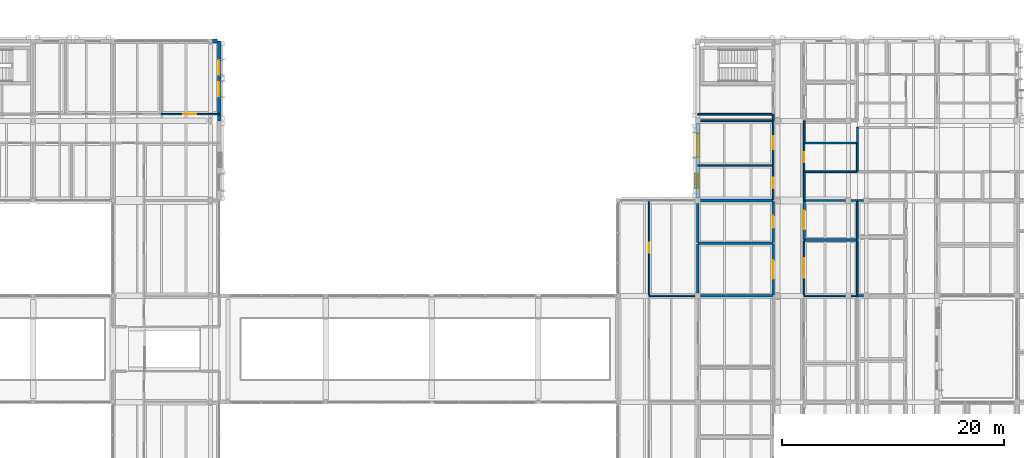
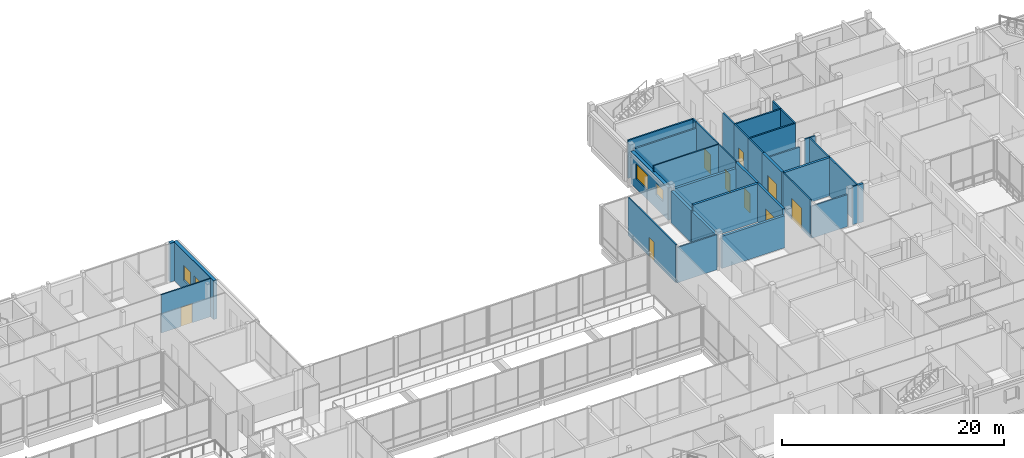
# One storey, part 116 of 146: 37 walls, 9 doors, 4 windows, 13 openings.
"""IFC4 building model written with IfcOpenShell, lengths in metres."""

from ifc_helpers import new_model, si_unit, direction, frame, frame_2d, origin, place, context, subcontext, project, spatial, rectangle, extrude, material, layer, layer_set, type_object, element, fill, save


model = new_model("IFC4")

# Units and contexts
model_context = context("Model", 3, precision=1e-05, world=origin(), true_north=direction((0.0, 1.0)))
body_context = subcontext(model_context, "Body", "Model", "MODEL_VIEW")
ifc_project = project(units=[si_unit("LENGTHUNIT", "METRE"), si_unit("AREAUNIT", "SQUARE_METRE"), si_unit("VOLUMEUNIT", "CUBIC_METRE"), si_unit("PLANEANGLEUNIT", "RADIAN"), si_unit("MASSUNIT", "GRAM", prefix="KILO")], contexts=[model_context])

# Site, building, storey
site_placement = place(None, origin())
site = spatial("IfcSite", under=ifc_project, at=site_placement, CompositionType="ELEMENT")
building_placement = place(site_placement, origin())
building = spatial("IfcBuilding", under=site, at=building_placement, Name="Hawrajan Terrace Health Centre", CompositionType="ELEMENT")
storey_placement = place(building_placement, frame((0.0, 0.0, 4.5)))
storey = spatial("IfcBuildingStorey", under=building, at=storey_placement, Name="L01", CompositionType="ELEMENT", Elevation=4.5)

# Wall, opening, door
ifc_material_1 = material(Name="Gypsum board on acoustic stud framing")
ifc_layer_1 = layer(ifc_material_1, 0.139892578125)
ifc_layer_set_1 = layer_set([ifc_layer_1], Name="Gypsum board on acoustic stud framing")
wall_type_1 = type_object("IfcWallType", Name="ClinicalAcousticWall_140", PredefinedType="PARTITIONING", material=ifc_layer_set_1)
wall_1_placement = place(storey_placement, frame((66.508056640625, 53.199951171875, 0.0), z_axis=(0.0, 0.0, 1.0), x_axis=(1.0, 0.0, 0.0)))
wall_1 = element("IfcWall", 1, at=wall_1_placement, inside=storey, type_object=wall_type_1, Name="Interior wall IW-L01-0650", PredefinedType="PARTITIONING", context=body_context, shape_type="SweptSolid", body=[
    extrude(rectangle(XDim=5.286865234375, YDim=0.139892578125, at=frame_2d((2.6435546875, 0.0))), origin(), (0.0, 0.0, 1.0), 4.179931640625),
])
opening_1_placement = place(wall_1_placement, frame((2.0634765625, 0.0, 0.0)))
opening_1 = element("IfcOpeningElement", 2, at=opening_1_placement, cuts=wall_1, Name="Opening D-L01-338", PredefinedType="OPENING", context=body_context, shape_type="SweptSolid", body=[
    extrude(rectangle(XDim=1.159912109375, YDim=2.10009765625, at=frame_2d((0.580078125, 1.050048828125))), frame((0.0, 0.079833984375, 0.0), z_axis=(0.0, -1.0, 0.0), x_axis=(1.0, 0.0, 0.0)), (0.0, 0.0, 1.0), 0.159912109375),
])
ifc_material_2 = material(Name="Hardwood acoustic clinical door leaf and frame", Category="wood")
door_type_1 = type_object("IfcDoorType", Name="ConsultDoor_1160x2100", OperationType="NOTDEFINED", PredefinedType="DOOR", material=ifc_material_2)
door_1_placement = place(opening_1_placement, origin())
door_1 = element("IfcDoor", 3, at=door_1_placement, inside=storey, type_object=door_type_1, Name="Interior door D-L01-338", OperationType="SINGLE_SWING_RIGHT", OverallHeight=2.10009765625, OverallWidth=1.159912109375, PredefinedType="DOOR", context=body_context, shape_type="SweptSolid", body=[
    extrude(rectangle(XDim=1.159912109375, YDim=2.10009765625, at=frame_2d((0.580078125, 1.050048828125))), frame((0.0, 0.02490234375, 0.0), z_axis=(0.0, -1.0, 0.0), x_axis=(1.0, 0.0, 0.0)), (0.0, 0.0, 1.0), 0.050048828125),
])
fill(opening_1, door_1)

wall_2_placement = place(storey_placement, frame((110.60009765625, 36.8701171875, 0.0), z_axis=(0.0, 0.0, 1.0), x_axis=(0.0, 1.0, 0.0)))
wall_2 = element("IfcWall", 4, at=wall_2_placement, inside=storey, type_object=wall_type_1, Name="Interior wall IW-L01-0691", PredefinedType="PARTITIONING", context=body_context, shape_type="SweptSolid", body=[
    extrude(rectangle(XDim=8.52978515625, YDim=0.139892578125, at=frame_2d((4.264892578125, 0.0))), origin(), (0.0, 0.0, 1.0), 4.179931640625),
])
opening_2_placement = place(wall_2_placement, frame((3.81494140625, 0.0, 0.0)))
opening_2 = element("IfcOpeningElement", 5, at=opening_2_placement, cuts=wall_2, Name="Opening D-L01-310", PredefinedType="OPENING", context=body_context, shape_type="SweptSolid", body=[
    extrude(rectangle(XDim=0.89990234375, YDim=2.10009765625, at=frame_2d((0.449951171875, 1.050048828125))), frame((0.0, 0.079833984375, 0.0), z_axis=(0.0, -1.0, 0.0), x_axis=(1.0, 0.0, 0.0)), (0.0, 0.0, 1.0), 0.159912109375),
])
door_type_2 = type_object("IfcDoorType", Name="PatientWCDoor_900x2100", OperationType="NOTDEFINED", PredefinedType="DOOR", material=ifc_material_2)
door_2_placement = place(opening_2_placement, origin())
door_2 = element("IfcDoor", 6, at=door_2_placement, inside=storey, type_object=door_type_2, Name="Interior door D-L01-310", OperationType="SINGLE_SWING_RIGHT", OverallHeight=2.10009765625, OverallWidth=0.89990234375, PredefinedType="DOOR", context=body_context, shape_type="SweptSolid", body=[
    extrude(rectangle(XDim=0.89990234375, YDim=2.10009765625, at=frame_2d((0.449951171875, 1.050048828125))), frame((0.0, 0.02490234375, 0.0), z_axis=(0.0, -1.0, 0.0), x_axis=(1.0, 0.0, 0.0)), (0.0, 0.0, 1.0), 0.050048828125),
])
fill(opening_2, door_2)

# Walls
wall_3_placement = place(storey_placement, frame((110.60009765625, 36.800048828125, 0.0), z_axis=(0.0, 0.0, 1.0), x_axis=(1.0, 0.0, 0.0)))
element("IfcWall", 7, at=wall_3_placement, inside=storey, type_object=wall_type_1, Name="Interior wall IW-L01-0692", PredefinedType="PARTITIONING", context=body_context, shape_type="SweptSolid", body=[
    extrude(rectangle(XDim=4.14990234375, YDim=0.139892578125, at=frame_2d((2.074951171875, 0.0))), origin(), (0.0, 0.0, 1.0), 3.8701171875),
])
wall_4_placement = place(storey_placement, frame((115.0, 48.574951171875, 0.0), z_axis=(0.0, 0.0, 1.0), x_axis=(1.0, 0.0, 0.0)))
element("IfcWall", 8, at=wall_4_placement, inside=storey, type_object=wall_type_1, Name="Interior wall IW-L01-0712", PredefinedType="PARTITIONING", context=body_context, shape_type="SweptSolid", body=[
    extrude(rectangle(XDim=6.800048828125, YDim=0.139892578125, at=frame_2d((3.39990234375, 0.0))), origin(), (0.0, 0.0, 1.0), 4.179931640625),
])

# Wall, opening, door
wall_5_placement = place(storey_placement, frame((121.800048828125, 45.469970703125, 0.0), z_axis=(0.0, 0.0, 1.0), x_axis=(0.0, 1.0, 0.0)))
wall_5 = element("IfcWall", 9, at=wall_5_placement, inside=storey, type_object=wall_type_1, Name="Interior wall IW-L01-0723", PredefinedType="PARTITIONING", context=body_context, shape_type="SweptSolid", body=[
    extrude(rectangle(XDim=3.034912109375, YDim=0.139892578125, at=frame_2d((1.517578125, 0.0))), origin(), (0.0, 0.0, 1.0), 4.179931640625),
])
opening_3_placement = place(wall_5_placement, frame((1.0576171875, 0.0, 0.0)))
opening_3 = element("IfcOpeningElement", 10, at=opening_3_placement, cuts=wall_5, Name="Opening D-L01-382", PredefinedType="OPENING", context=body_context, shape_type="SweptSolid", body=[
    extrude(rectangle(XDim=0.919921875, YDim=2.10009765625, at=frame_2d((0.4599609375, 1.050048828125))), frame((0.0, 0.079833984375, 0.0), z_axis=(0.0, -1.0, 0.0), x_axis=(1.0, 0.0, 0.0)), (0.0, 0.0, 1.0), 0.159912109375),
])
door_type_3 = type_object("IfcDoorType", Name="StaffOfficeDoor_920x2100", OperationType="NOTDEFINED", PredefinedType="DOOR", material=ifc_material_2)
door_3_placement = place(opening_3_placement, origin())
door_3 = element("IfcDoor", 11, at=door_3_placement, inside=storey, type_object=door_type_3, Name="Interior door D-L01-382", OperationType="SINGLE_SWING_RIGHT", OverallHeight=2.10009765625, OverallWidth=0.919921875, PredefinedType="DOOR", context=body_context, shape_type="SweptSolid", body=[
    extrude(rectangle(XDim=0.919921875, YDim=2.10009765625, at=frame_2d((0.4599609375, 1.050048828125))), frame((0.0, 0.02490234375, 0.0), z_axis=(0.0, -1.0, 0.0), x_axis=(1.0, 0.0, 0.0)), (0.0, 0.0, 1.0), 0.050048828125),
])
fill(opening_3, door_3)

wall_6_placement = place(storey_placement, frame((121.800048828125, 48.64501953125, 0.0), z_axis=(0.0, 0.0, 1.0), x_axis=(0.0, 1.0, 0.0)))
wall_6 = element("IfcWall", 12, at=wall_6_placement, inside=storey, type_object=wall_type_1, Name="Interior wall IW-L01-0724", PredefinedType="PARTITIONING", context=body_context, shape_type="SweptSolid", body=[
    extrude(rectangle(XDim=3.955078125, YDim=0.139892578125, at=frame_2d((1.9775390625, 0.0))), origin(), (0.0, 0.0, 1.0), 4.179931640625),
])
opening_4_placement = place(wall_6_placement, frame((1.3974609375, 0.0, 0.0)))
opening_4 = element("IfcOpeningElement", 13, at=opening_4_placement, cuts=wall_6, Name="Opening D-L01-383", PredefinedType="OPENING", context=body_context, shape_type="SweptSolid", body=[
    extrude(rectangle(XDim=1.159912109375, YDim=2.10009765625, at=frame_2d((0.580078125, 1.050048828125))), frame((0.0, 0.079833984375, 0.0), z_axis=(0.0, -1.0, 0.0), x_axis=(1.0, 0.0, 0.0)), (0.0, 0.0, 1.0), 0.159912109375),
])
door_4_placement = place(opening_4_placement, origin())
door_4 = element("IfcDoor", 14, at=door_4_placement, inside=storey, type_object=door_type_1, Name="Interior door D-L01-383", OperationType="SINGLE_SWING_LEFT", OverallHeight=2.10009765625, OverallWidth=1.159912109375, PredefinedType="DOOR", context=body_context, shape_type="SweptSolid", body=[
    extrude(rectangle(XDim=1.159912109375, YDim=2.10009765625, at=frame_2d((0.580078125, 1.050048828125))), frame((0.0, 0.02490234375, 0.0), z_axis=(0.0, -1.0, 0.0), x_axis=(1.0, 0.0, 0.0)), (0.0, 0.0, 1.0), 0.050048828125),
])
fill(opening_4, door_4)

wall_7_placement = place(storey_placement, frame((124.60009765625, 36.8701171875, 0.0), z_axis=(0.0, 0.0, 1.0), x_axis=(0.0, 1.0, 0.0)))
wall_7 = element("IfcWall", 15, at=wall_7_placement, inside=storey, type_object=wall_type_1, Name="Interior wall IW-L01-0737", PredefinedType="PARTITIONING", context=body_context, shape_type="SweptSolid", body=[
    extrude(rectangle(XDim=4.890869140625, YDim=0.139892578125, at=frame_2d((2.4453125, 0.0))), origin(), (0.0, 0.0, 1.0), 4.179931640625),
])
opening_5_placement = place(wall_7_placement, frame((1.54541015625, 0.0, 0.0)))
opening_5 = element("IfcOpeningElement", 16, at=opening_5_placement, cuts=wall_7, Name="Opening D-L01-389", PredefinedType="OPENING", context=body_context, shape_type="SweptSolid", body=[
    extrude(rectangle(XDim=1.800048828125, YDim=2.300048828125, at=frame_2d((0.89990234375, 1.14990234375))), frame((0.0, 0.079833984375, 0.0), z_axis=(0.0, -1.0, 0.0), x_axis=(1.0, 0.0, 0.0)), (0.0, 0.0, 1.0), 0.159912109375),
])
door_type_4 = type_object("IfcDoorType", Name="EducationHallDoor_1800x2300", OperationType="DOUBLE_DOOR_SINGLE_SWING", PredefinedType="DOOR", material=ifc_material_2)
door_5_placement = place(opening_5_placement, origin())
door_5 = element("IfcDoor", 17, at=door_5_placement, inside=storey, type_object=door_type_4, Name="Interior door D-L01-389", OperationType="DOUBLE_DOOR_SINGLE_SWING", OverallHeight=2.300048828125, OverallWidth=1.800048828125, PredefinedType="DOOR", context=body_context, shape_type="SweptSolid", body=[
    extrude(rectangle(XDim=1.800048828125, YDim=2.300048828125, at=frame_2d((0.89990234375, 1.14990234375))), frame((0.0, 0.02490234375, 0.0), z_axis=(0.0, -1.0, 0.0), x_axis=(1.0, 0.0, 0.0)), (0.0, 0.0, 1.0), 0.050048828125),
])
fill(opening_5, door_5)

# Walls
wall_8_placement = place(storey_placement, frame((124.60009765625, 36.800048828125, 0.0), z_axis=(0.0, 0.0, 1.0), x_axis=(1.0, 0.0, 0.0)))
element("IfcWall", 18, at=wall_8_placement, inside=storey, type_object=wall_type_1, Name="Interior wall IW-L01-0738", PredefinedType="PARTITIONING", context=body_context, shape_type="SweptSolid", body=[
    extrude(rectangle(XDim=3.75, YDim=0.139892578125, at=frame_2d((1.875, 0.0))), origin(), (0.0, 0.0, 1.0), 3.52001953125),
])
wall_9_placement = place(storey_placement, frame((128.85009765625, 36.800048828125, 0.0), z_axis=(0.0, 0.0, 1.0), x_axis=(1.0, 0.0, 0.0)))
element("IfcWall", 19, at=wall_9_placement, inside=storey, type_object=wall_type_1, Name="Interior wall IW-L01-0739", PredefinedType="PARTITIONING", context=body_context, shape_type="SweptSolid", body=[
    extrude(rectangle(XDim=0.544921875, YDim=0.139892578125, at=frame_2d((0.2724609375, 0.0))), origin(), (0.0, 0.0, 1.0), 4.179931640625),
])

# Wall, opening, door
wall_10_placement = place(storey_placement, frame((124.60009765625, 48.0, 0.0), z_axis=(0.0, 0.0, 1.0), x_axis=(0.0, 1.0, 0.0)))
wall_10 = element("IfcWall", 20, at=wall_10_placement, inside=storey, type_object=wall_type_1, Name="Interior wall IW-L01-0742", PredefinedType="PARTITIONING", context=body_context, shape_type="SweptSolid", body=[
    extrude(rectangle(XDim=2.60009765625, YDim=0.139892578125, at=frame_2d((1.300048828125, 0.0))), origin(), (0.0, 0.0, 1.0), 4.179931640625),
])
opening_6_placement = place(wall_10_placement, frame((0.840087890625, 0.0, 0.0)))
opening_6 = element("IfcOpeningElement", 21, at=opening_6_placement, cuts=wall_10, Name="Opening D-L01-273", PredefinedType="OPENING", context=body_context, shape_type="SweptSolid", body=[
    extrude(rectangle(XDim=0.919921875, YDim=2.10009765625, at=frame_2d((0.4599609375, 1.050048828125))), frame((0.0, 0.079833984375, 0.0), z_axis=(0.0, -1.0, 0.0), x_axis=(1.0, 0.0, 0.0)), (0.0, 0.0, 1.0), 0.159912109375),
])
door_6_placement = place(opening_6_placement, origin())
door_6 = element("IfcDoor", 22, at=door_6_placement, inside=storey, type_object=door_type_3, Name="Interior door D-L01-273", OperationType="SINGLE_SWING_LEFT", OverallHeight=2.10009765625, OverallWidth=0.919921875, PredefinedType="DOOR", context=body_context, shape_type="SweptSolid", body=[
    extrude(rectangle(XDim=0.919921875, YDim=2.10009765625, at=frame_2d((0.4599609375, 1.050048828125))), frame((0.0, 0.02490234375, 0.0), z_axis=(0.0, -1.0, 0.0), x_axis=(1.0, 0.0, 0.0)), (0.0, 0.0, 1.0), 0.050048828125),
])
fill(opening_6, door_6)

# Wall
ifc_material_3 = material(Name="Precast concrete C40/50", Category="concrete")
ifc_layer_2 = layer(ifc_material_3, 0.340087890625)
ifc_layer_set_2 = layer_set([ifc_layer_2], Name="Precast concrete C40/50")
wall_type_2 = type_object("IfcWallType", Name="CoralAshlarWall_340", PredefinedType="SOLIDWALL", material=ifc_layer_set_2)
wall_11_placement = place(storey_placement, frame((71.179931640625, 59.800048828125, 0.0), z_axis=(0.0, 0.0, 1.0), x_axis=(1.0, 0.0, 0.0)))
element("IfcWall", 23, at=wall_11_placement, inside=storey, type_object=wall_type_2, Name="Exterior wall EW-L01-H08-07-2", PredefinedType="SOLIDWALL", context=body_context, shape_type="SweptSolid", body=[
    extrude(rectangle(XDim=0.465087890625, YDim=0.340087890625, at=frame_2d((0.232421875, 0.0))), origin(), (0.0, 0.0, 1.0), 4.260009765625),
])

# Wall, openings, windows
wall_12_placement = place(storey_placement, frame((71.794921875, 52.60009765625, 0.0), z_axis=(0.0, 0.0, 1.0), x_axis=(0.0, 1.0, 0.0)))
wall_12 = element("IfcWall", 24, at=wall_12_placement, inside=storey, type_object=wall_type_2, Name="Exterior wall EW-L01-V09-06-1", PredefinedType="SOLIDWALL", context=body_context, shape_type="SweptSolid", body=[
    extrude(rectangle(XDim=7.199951171875, YDim=0.340087890625, at=frame_2d((3.60009765625, 0.0))), origin(), (0.0, 0.0, 1.0), 4.260009765625),
])
opening_7_placement = place(wall_12_placement, frame((2.239990234375, 0.0, 1.050048828125)))
opening_7 = element("IfcOpeningElement", 25, at=opening_7_placement, cuts=wall_12, Name="Opening W-L01-082", PredefinedType="OPENING", context=body_context, shape_type="SweptSolid", body=[
    extrude(rectangle(XDim=1.260009765625, YDim=1.64990234375, at=frame_2d((0.6298828125, 0.824951171875))), frame((0.0, 0.179931640625, 0.0), z_axis=(0.0, -1.0, 0.0), x_axis=(1.0, 0.0, 0.0)), (0.0, 0.0, 1.0), 0.360107421875),
])
opening_8_placement = place(wall_12_placement, frame((4.179931640625, 0.0, 1.050048828125)))
opening_8 = element("IfcOpeningElement", 26, at=opening_8_placement, cuts=wall_12, Name="Opening W-L01-083", PredefinedType="OPENING", context=body_context, shape_type="SweptSolid", body=[
    extrude(rectangle(XDim=1.260009765625, YDim=1.64990234375, at=frame_2d((0.6298828125, 0.824951171875))), frame((0.0, 0.179931640625, 0.0), z_axis=(0.0, -1.0, 0.0), x_axis=(1.0, 0.0, 0.0)), (0.0, 0.0, 1.0), 0.360107421875),
])
ifc_material_4 = material(Name="Anodized bronze frame with double low-E glazing", Category="glass")
window_type_1 = type_object("IfcWindowType", Name="FacadeWindow_1260x1650", PartitioningType="SINGLE_PANEL", PredefinedType="WINDOW", material=ifc_material_4)
window_1_placement = place(opening_7_placement, origin())
window_1 = element("IfcWindow", 27, at=window_1_placement, inside=storey, type_object=window_type_1, Name="Window W-L01-082", OverallHeight=1.64990234375, OverallWidth=1.260009765625, PartitioningType="SINGLE_PANEL", PredefinedType="WINDOW", context=body_context, shape_type="SweptSolid", body=[
    extrude(rectangle(XDim=1.260009765625, YDim=1.64990234375, at=frame_2d((0.6298828125, 0.824951171875))), frame((0.0, 0.030029296875, 0.0), z_axis=(0.0, -1.0, 0.0), x_axis=(1.0, 0.0, 0.0)), (0.0, 0.0, 1.0), 0.06005859375),
])
fill(opening_7, window_1)
window_2_placement = place(opening_8_placement, origin())
window_2 = element("IfcWindow", 28, at=window_2_placement, inside=storey, type_object=window_type_1, Name="Window W-L01-083", OverallHeight=1.64990234375, OverallWidth=1.260009765625, PartitioningType="SINGLE_PANEL", PredefinedType="WINDOW", context=body_context, shape_type="SweptSolid", body=[
    extrude(rectangle(XDim=1.260009765625, YDim=1.64990234375, at=frame_2d((0.6298828125, 0.824951171875))), frame((0.0, 0.030029296875, 0.0), z_axis=(0.0, -1.0, 0.0), x_axis=(1.0, 0.0, 0.0)), (0.0, 0.0, 1.0), 0.06005859375),
])
fill(opening_8, window_2)

wall_13_placement = place(storey_placement, frame((115.0, 45.64990234375, 0.0), z_axis=(0.0, 0.0, 1.0), x_axis=(0.0, 1.0, 0.0)))
wall_13 = element("IfcWall", 29, at=wall_13_placement, inside=storey, type_object=wall_type_2, Name="Exterior wall EW-L01-V14-05-1", PredefinedType="SOLIDWALL", context=body_context, shape_type="SweptSolid", body=[
    extrude(rectangle(XDim=6.7001953125, YDim=0.340087890625, at=frame_2d((3.35009765625, 0.0))), origin(), (0.0, 0.0, 1.0), 3.52001953125),
])
opening_9_placement = place(wall_13_placement, frame((0.862548828125, 0.0, 1.5)))
opening_9 = element("IfcOpeningElement", 30, at=opening_9_placement, cuts=wall_13, Name="Opening W-L01-087", PredefinedType="OPENING", context=body_context, shape_type="SweptSolid", body=[
    extrude(rectangle(XDim=1.320068359375, YDim=1.25, at=frame_2d((0.66015625, 0.625))), frame((0.0, 0.179931640625, 0.0), z_axis=(0.0, -1.0, 0.0), x_axis=(1.0, 0.0, 0.0)), (0.0, 0.0, 1.0), 0.360107421875),
])
opening_10_placement = place(wall_13_placement, frame((3.70263671875, 0.0, 1.050048828125)))
opening_10 = element("IfcOpeningElement", 31, at=opening_10_placement, cuts=wall_13, Name="Opening W-L01-088", PredefinedType="OPENING", context=body_context, shape_type="SweptSolid", body=[
    extrude(rectangle(XDim=2.10009765625, YDim=1.64990234375, at=frame_2d((1.050048828125, 0.824951171875))), frame((0.0, 0.179931640625, 0.0), z_axis=(0.0, -1.0, 0.0), x_axis=(1.0, 0.0, 0.0)), (0.0, 0.0, 1.0), 0.360107421875),
])
window_type_2 = type_object("IfcWindowType", Name="FacadeWindow_1320x1250", PartitioningType="SINGLE_PANEL", PredefinedType="WINDOW", material=ifc_material_4)
window_3_placement = place(opening_9_placement, origin())
window_3 = element("IfcWindow", 32, at=window_3_placement, inside=storey, type_object=window_type_2, Name="Window W-L01-087", OverallHeight=1.25, OverallWidth=1.320068359375, PartitioningType="SINGLE_PANEL", PredefinedType="WINDOW", context=body_context, shape_type="SweptSolid", body=[
    extrude(rectangle(XDim=1.320068359375, YDim=1.25, at=frame_2d((0.66015625, 0.625))), frame((0.0, 0.030029296875, 0.0), z_axis=(0.0, -1.0, 0.0), x_axis=(1.0, 0.0, 0.0)), (0.0, 0.0, 1.0), 0.06005859375),
])
fill(opening_9, window_3)
window_type_3 = type_object("IfcWindowType", Name="FacadeWindow_2100x1650", PartitioningType="DOUBLE_PANEL_VERTICAL", PredefinedType="WINDOW", material=ifc_material_4)
window_4_placement = place(opening_10_placement, origin())
window_4 = element("IfcWindow", 33, at=window_4_placement, inside=storey, type_object=window_type_3, Name="Window W-L01-088", OverallHeight=1.64990234375, OverallWidth=2.10009765625, PartitioningType="DOUBLE_PANEL_VERTICAL", PredefinedType="WINDOW", context=body_context, shape_type="SweptSolid", body=[
    extrude(rectangle(XDim=2.10009765625, YDim=1.64990234375, at=frame_2d((1.050048828125, 0.824951171875))), frame((0.0, 0.030029296875, 0.0), z_axis=(0.0, -1.0, 0.0), x_axis=(1.0, 0.0, 0.0)), (0.0, 0.0, 1.0), 0.06005859375),
])
fill(opening_10, window_4)

# Walls
ifc_layer_3 = layer(ifc_material_1, 0.159912109375)
ifc_layer_set_3 = layer_set([ifc_layer_3], Name="Gypsum board on acoustic stud framing")
wall_type_3 = type_object("IfcWallType", Name="CorridorFireWall_160", PredefinedType="PARTITIONING", material=ifc_layer_set_3)
wall_14_placement = place(storey_placement, frame((124.60009765625, 45.39990234375, 0.0), z_axis=(0.0, 0.0, 1.0), x_axis=(0.0, 1.0, 0.0)))
element("IfcWall", 34, at=wall_14_placement, inside=storey, type_object=wall_type_3, Name="Interior wall IW-L01-0867", PredefinedType="PARTITIONING", context=body_context, shape_type="SweptSolid", body=[
    extrude(rectangle(XDim=2.60009765625, YDim=0.159912109375, at=frame_2d((1.300048828125, 0.0))), origin(), (0.0, 0.0, 1.0), 4.179931640625),
])
wall_15_placement = place(storey_placement, frame((124.60009765625, 50.60009765625, 0.0), z_axis=(0.0, 0.0, 1.0), x_axis=(0.0, 1.0, 0.0)))
element("IfcWall", 35, at=wall_15_placement, inside=storey, type_object=wall_type_3, Name="Interior wall IW-L01-0868", PredefinedType="PARTITIONING", context=body_context, shape_type="SweptSolid", body=[
    extrude(rectangle(XDim=2.0, YDim=0.159912109375, at=frame_2d((1.0, 0.0))), origin(), (0.0, 0.0, 1.0), 4.179931640625),
])
wall_16_placement = place(storey_placement, frame((121.800048828125, 52.60009765625, 0.0), z_axis=(0.0, 0.0, 1.0), x_axis=(0.0, 1.0, 0.0)))
element("IfcWall", 36, at=wall_16_placement, inside=storey, type_object=wall_type_3, Name="Interior wall IW-L01-0870", PredefinedType="PARTITIONING", context=body_context, shape_type="SweptSolid", body=[
    extrude(rectangle(XDim=0.599853515625, YDim=0.159912109375, at=frame_2d((0.2998046875, 0.0))), origin(), (0.0, 0.0, 1.0), 4.179931640625),
])
wall_17_placement = place(storey_placement, frame((115.0, 53.199951171875, 0.0), z_axis=(0.0, 0.0, 1.0), x_axis=(1.0, 0.0, 0.0)))
element("IfcWall", 37, at=wall_17_placement, inside=storey, type_object=wall_type_3, Name="Interior wall IW-L01-0872", PredefinedType="PARTITIONING", context=body_context, shape_type="SweptSolid", body=[
    extrude(rectangle(XDim=6.800048828125, YDim=0.159912109375, at=frame_2d((3.39990234375, 0.0))), origin(), (0.0, 0.0, 1.0), 4.179931640625),
])
wall_18_placement = place(storey_placement, frame((124.60009765625, 48.0, 0.0), z_axis=(0.0, 0.0, 1.0), x_axis=(1.0, 0.0, 0.0)))
element("IfcWall", 38, at=wall_18_placement, inside=storey, type_object=wall_type_3, Name="Interior wall IW-L01-0897", PredefinedType="PARTITIONING", context=body_context, shape_type="SweptSolid", body=[
    extrude(rectangle(XDim=4.794921875, YDim=0.159912109375, at=frame_2d((2.3974609375, 0.0))), origin(), (0.0, 0.0, 1.0), 4.179931640625),
])
wall_19_placement = place(storey_placement, frame((129.39501953125, 48.0, 0.0), z_axis=(0.0, 0.0, 1.0), x_axis=(0.0, 1.0, 0.0)))
element("IfcWall", 39, at=wall_19_placement, inside=storey, type_object=wall_type_3, Name="Interior wall IW-L01-0898", PredefinedType="PARTITIONING", context=body_context, shape_type="SweptSolid", body=[
    extrude(rectangle(XDim=2.60009765625, YDim=0.159912109375, at=frame_2d((1.300048828125, 0.0))), origin(), (0.0, 0.0, 1.0), 4.179931640625),
])
wall_20_placement = place(storey_placement, frame((129.39501953125, 50.60009765625, 0.0), z_axis=(0.0, 0.0, 1.0), x_axis=(-1.0, 0.0, 0.0)))
element("IfcWall", 40, at=wall_20_placement, inside=storey, type_object=wall_type_3, Name="Interior wall IW-L01-0899", PredefinedType="PARTITIONING", context=body_context, shape_type="SweptSolid", body=[
    extrude(rectangle(XDim=4.794921875, YDim=0.159912109375, at=frame_2d((2.3974609375, 0.0))), origin(), (0.0, 0.0, 1.0), 4.179931640625),
])
wall_21_placement = place(storey_placement, frame((129.405029296875, 50.60009765625, 0.0), z_axis=(0.0, 0.0, 1.0), x_axis=(0.0, 1.0, 0.0)))
element("IfcWall", 41, at=wall_21_placement, inside=storey, type_object=wall_type_3, Name="Interior wall IW-L01-0905", PredefinedType="PARTITIONING", context=body_context, shape_type="SweptSolid", body=[
    extrude(rectangle(XDim=1.39990234375, YDim=0.159912109375, at=frame_2d((0.699951171875, 0.0))), origin(), (0.0, 0.0, 1.0), 4.179931640625),
])
wall_22_placement = place(storey_placement, frame((121.800048828125, 52.60009765625, 0.0), z_axis=(0.0, 0.0, 1.0), x_axis=(-1.0, 0.0, 0.0)))
element("IfcWall", 42, at=wall_22_placement, inside=storey, type_object=wall_type_3, Name="Interior wall IW-L01-0946", PredefinedType="PARTITIONING", context=body_context, shape_type="SweptSolid", body=[
    extrude(rectangle(XDim=6.550048828125, YDim=0.159912109375, at=frame_2d((3.27490234375, 0.0))), origin(), (0.0, 0.0, 1.0), 3.52001953125),
])
wall_23_placement = place(storey_placement, frame((129.39501953125, 36.8701171875, 0.0), z_axis=(0.0, 0.0, 1.0), x_axis=(0.0, 1.0, 0.0)))
element("IfcWall", 43, at=wall_23_placement, inside=storey, type_object=wall_type_3, Name="Interior wall IW-L01-0955", PredefinedType="PARTITIONING", context=body_context, shape_type="SweptSolid", body=[
    extrude(rectangle(XDim=4.890869140625, YDim=0.159912109375, at=frame_2d((2.4453125, 0.0))), origin(), (0.0, 0.0, 1.0), 4.179931640625),
])
wall_24_placement = place(storey_placement, frame((129.39501953125, 41.90087890625, 0.0), z_axis=(0.0, 0.0, 1.0), x_axis=(0.0, 1.0, 0.0)))
element("IfcWall", 44, at=wall_24_placement, inside=storey, type_object=wall_type_3, Name="Interior wall IW-L01-0956", PredefinedType="PARTITIONING", context=body_context, shape_type="SweptSolid", body=[
    extrude(rectangle(XDim=3.4990234375, YDim=0.159912109375, at=frame_2d((1.74951171875, 0.0))), origin(), (0.0, 0.0, 1.0), 4.179931640625),
])
wall_25_placement = place(storey_placement, frame((129.39501953125, 45.39990234375, 0.0), z_axis=(0.0, 0.0, 1.0), x_axis=(-1.0, 0.0, 0.0)))
element("IfcWall", 45, at=wall_25_placement, inside=storey, type_object=wall_type_3, Name="Interior wall IW-L01-0957", PredefinedType="PARTITIONING", context=body_context, shape_type="SweptSolid", body=[
    extrude(rectangle(XDim=0.544921875, YDim=0.159912109375, at=frame_2d((0.2724609375, 0.0))), origin(), (0.0, 0.0, 1.0), 4.179931640625),
])
wall_26_placement = place(storey_placement, frame((128.35009765625, 45.39990234375, 0.0), z_axis=(0.0, 0.0, 1.0), x_axis=(-1.0, 0.0, 0.0)))
element("IfcWall", 46, at=wall_26_placement, inside=storey, type_object=wall_type_3, Name="Interior wall IW-L01-0958", PredefinedType="PARTITIONING", context=body_context, shape_type="SweptSolid", body=[
    extrude(rectangle(XDim=3.75, YDim=0.159912109375, at=frame_2d((1.875, 0.0))), origin(), (0.0, 0.0, 1.0), 3.52001953125),
])
wall_27_placement = place(storey_placement, frame((129.949951171875, 45.39990234375, 0.0), z_axis=(0.0, 0.0, 1.0), x_axis=(-1.0, 0.0, 0.0)))
element("IfcWall", 47, at=wall_27_placement, inside=storey, type_object=wall_type_3, Name="Interior wall IW-L01-0966", PredefinedType="PARTITIONING", context=body_context, shape_type="SweptSolid", body=[
    extrude(rectangle(XDim=0.544921875, YDim=0.159912109375, at=frame_2d((0.2724609375, 0.0))), origin(), (0.0, 0.0, 1.0), 4.179931640625),
])
ifc_material_5 = material(Name="Concrete C40/50", Category="concrete")
ifc_layer_4 = layer(ifc_material_5, 0.25)
ifc_layer_set_4 = layer_set([ifc_layer_4], Name="Concrete C40/50")
wall_type_4 = type_object("IfcWallType", Name="RadiationShieldWall_RC250", PredefinedType="SOLIDWALL", material=ifc_layer_set_4)
wall_28_placement = place(storey_placement, frame((115.0, 37.050048828125, 0.0), z_axis=(0.0, 0.0, 1.0), x_axis=(0.0, 1.0, 0.0)))
element("IfcWall", 48, at=wall_28_placement, inside=storey, type_object=wall_type_4, Name="Interior wall IW-L01-0707", PredefinedType="SOLIDWALL", context=body_context, shape_type="SweptSolid", body=[
    extrude(rectangle(XDim=4.4189453125, YDim=0.25, at=frame_2d((2.20947265625, 0.0))), origin(), (0.0, 0.0, 1.0), 3.52001953125),
])
wall_29_placement = place(storey_placement, frame((115.25, 36.800048828125, 0.0), z_axis=(0.0, 0.0, 1.0), x_axis=(1.0, 0.0, 0.0)))
element("IfcWall", 49, at=wall_29_placement, inside=storey, type_object=wall_type_4, Name="Interior wall IW-L01-0708", PredefinedType="SOLIDWALL", context=body_context, shape_type="SweptSolid", body=[
    extrude(rectangle(XDim=6.550048828125, YDim=0.25, at=frame_2d((3.27490234375, 0.0))), origin(), (0.0, 0.0, 1.0), 3.52001953125),
])
wall_30_placement = place(storey_placement, frame((115.0, 41.60888671875, 0.0), z_axis=(0.0, 0.0, 1.0), x_axis=(0.0, 1.0, 0.0)))
element("IfcWall", 50, at=wall_30_placement, inside=storey, type_object=wall_type_4, Name="Interior wall IW-L01-0709", PredefinedType="SOLIDWALL", context=body_context, shape_type="SweptSolid", body=[
    extrude(rectangle(XDim=3.541015625, YDim=0.25, at=frame_2d((1.7705078125, 0.0))), origin(), (0.0, 0.0, 1.0), 3.52001953125),
])
wall_31_placement = place(storey_placement, frame((115.0, 41.5390625, 0.0), z_axis=(0.0, 0.0, 1.0), x_axis=(1.0, 0.0, 0.0)))
element("IfcWall", 51, at=wall_31_placement, inside=storey, type_object=wall_type_4, Name="Interior wall IW-L01-0710", PredefinedType="SOLIDWALL", context=body_context, shape_type="SweptSolid", body=[
    extrude(rectangle(XDim=6.800048828125, YDim=0.25, at=frame_2d((3.39990234375, 0.0))), origin(), (0.0, 0.0, 1.0), 4.179931640625),
])
wall_32_placement = place(storey_placement, frame((115.25, 45.39990234375, 0.0), z_axis=(0.0, 0.0, 1.0), x_axis=(1.0, 0.0, 0.0)))
element("IfcWall", 52, at=wall_32_placement, inside=storey, type_object=wall_type_4, Name="Interior wall IW-L01-0711", PredefinedType="SOLIDWALL", context=body_context, shape_type="SweptSolid", body=[
    extrude(rectangle(XDim=6.550048828125, YDim=0.25, at=frame_2d((3.27490234375, 0.0))), origin(), (0.0, 0.0, 1.0), 3.52001953125),
])

# Wall, opening, door
wall_33_placement = place(storey_placement, frame((121.800048828125, 36.8701171875, 0.0), z_axis=(0.0, 0.0, 1.0), x_axis=(0.0, 1.0, 0.0)))
wall_33 = element("IfcWall", 53, at=wall_33_placement, inside=storey, type_object=wall_type_4, Name="Interior wall IW-L01-0721", PredefinedType="SOLIDWALL", context=body_context, shape_type="SweptSolid", body=[
    extrude(rectangle(XDim=4.598876953125, YDim=0.25, at=frame_2d((2.29931640625, 0.0))), origin(), (0.0, 0.0, 1.0), 4.179931640625),
])
opening_11_placement = place(wall_33_placement, frame((1.45947265625, 0.0, 0.0)))
opening_11 = element("IfcOpeningElement", 54, at=opening_11_placement, cuts=wall_33, Name="Opening D-L01-380", PredefinedType="OPENING", context=body_context, shape_type="SweptSolid", body=[
    extrude(rectangle(XDim=1.679931640625, YDim=2.300048828125, at=frame_2d((0.83984375, 1.14990234375))), frame((0.0, 0.135009765625, 0.0), z_axis=(0.0, -1.0, 0.0), x_axis=(1.0, 0.0, 0.0)), (0.0, 0.0, 1.0), 0.27001953125),
])
ifc_material_6 = material(Name="Timber-veneered acoustic fire-resisting door assembly", Category="wood")
door_type_5 = type_object("IfcDoorType", Name="ImagingShieldedDoor_1680x2300", OperationType="DOUBLE_DOOR_SINGLE_SWING", PredefinedType="DOOR", material=ifc_material_6)
door_7_placement = place(opening_11_placement, origin())
door_7 = element("IfcDoor", 55, at=door_7_placement, inside=storey, type_object=door_type_5, Name="Interior door D-L01-380", OperationType="DOUBLE_DOOR_SINGLE_SWING", OverallHeight=2.300048828125, OverallWidth=1.679931640625, PredefinedType="DOOR", context=body_context, shape_type="SweptSolid", body=[
    extrude(rectangle(XDim=1.679931640625, YDim=2.300048828125, at=frame_2d((0.83984375, 1.14990234375))), frame((0.0, 0.02490234375, 0.0), z_axis=(0.0, -1.0, 0.0), x_axis=(1.0, 0.0, 0.0)), (0.0, 0.0, 1.0), 0.050048828125),
])
fill(opening_11, door_7)

wall_34_placement = place(storey_placement, frame((121.800048828125, 41.60888671875, 0.0), z_axis=(0.0, 0.0, 1.0), x_axis=(0.0, 1.0, 0.0)))
wall_34 = element("IfcWall", 56, at=wall_34_placement, inside=storey, type_object=wall_type_4, Name="Interior wall IW-L01-0722", PredefinedType="SOLIDWALL", context=body_context, shape_type="SweptSolid", body=[
    extrude(rectangle(XDim=3.72119140625, YDim=0.25, at=frame_2d((1.860595703125, 0.0))), origin(), (0.0, 0.0, 1.0), 4.179931640625),
])
opening_12_placement = place(wall_34_placement, frame((1.320556640625, 0.0, 0.0)))
opening_12 = element("IfcOpeningElement", 57, at=opening_12_placement, cuts=wall_34, Name="Opening D-L01-381", PredefinedType="OPENING", context=body_context, shape_type="SweptSolid", body=[
    extrude(rectangle(XDim=1.080078125, YDim=2.14990234375, at=frame_2d((0.5400390625, 1.074951171875))), frame((0.0, 0.135009765625, 0.0), z_axis=(0.0, -1.0, 0.0), x_axis=(1.0, 0.0, 0.0)), (0.0, 0.0, 1.0), 0.27001953125),
])
door_type_6 = type_object("IfcDoorType", Name="ClinicalFireDoor_1080x2150", OperationType="NOTDEFINED", PredefinedType="DOOR", material=ifc_material_6)
door_8_placement = place(opening_12_placement, origin())
door_8 = element("IfcDoor", 58, at=door_8_placement, inside=storey, type_object=door_type_6, Name="Interior door D-L01-381", OperationType="SINGLE_SWING_LEFT", OverallHeight=2.14990234375, OverallWidth=1.080078125, PredefinedType="DOOR", context=body_context, shape_type="SweptSolid", body=[
    extrude(rectangle(XDim=1.080078125, YDim=2.14990234375, at=frame_2d((0.5400390625, 1.074951171875))), frame((0.0, 0.02490234375, 0.0), z_axis=(0.0, -1.0, 0.0), x_axis=(1.0, 0.0, 0.0)), (0.0, 0.0, 1.0), 0.050048828125),
])
fill(opening_12, door_8)

wall_35_placement = place(storey_placement, frame((124.60009765625, 41.90087890625, 0.0), z_axis=(0.0, 0.0, 1.0), x_axis=(0.0, 1.0, 0.0)))
wall_35 = element("IfcWall", 59, at=wall_35_placement, inside=storey, type_object=wall_type_4, Name="Interior wall IW-L01-0740", PredefinedType="SOLIDWALL", context=body_context, shape_type="SweptSolid", body=[
    extrude(rectangle(XDim=3.4990234375, YDim=0.25, at=frame_2d((1.74951171875, 0.0))), origin(), (0.0, 0.0, 1.0), 4.179931640625),
])
opening_13_placement = place(wall_35_placement, frame((0.909423828125, 0.0, 0.0)))
opening_13 = element("IfcOpeningElement", 60, at=opening_13_placement, cuts=wall_35, Name="Opening D-L01-390", PredefinedType="OPENING", context=body_context, shape_type="SweptSolid", body=[
    extrude(rectangle(XDim=1.679931640625, YDim=2.300048828125, at=frame_2d((0.83984375, 1.14990234375))), frame((0.0, 0.135009765625, 0.0), z_axis=(0.0, -1.0, 0.0), x_axis=(1.0, 0.0, 0.0)), (0.0, 0.0, 1.0), 0.27001953125),
])
door_9_placement = place(opening_13_placement, origin())
door_9 = element("IfcDoor", 61, at=door_9_placement, inside=storey, type_object=door_type_5, Name="Interior door D-L01-390", OperationType="DOUBLE_DOOR_SINGLE_SWING", OverallHeight=2.300048828125, OverallWidth=1.679931640625, PredefinedType="DOOR", context=body_context, shape_type="SweptSolid", body=[
    extrude(rectangle(XDim=1.679931640625, YDim=2.300048828125, at=frame_2d((0.83984375, 1.14990234375))), frame((0.0, 0.02490234375, 0.0), z_axis=(0.0, -1.0, 0.0), x_axis=(1.0, 0.0, 0.0)), (0.0, 0.0, 1.0), 0.050048828125),
])
fill(opening_13, door_9)

# Walls
wall_36_placement = place(storey_placement, frame((124.60009765625, 41.8310546875, 0.0), z_axis=(0.0, 0.0, 1.0), x_axis=(1.0, 0.0, 0.0)))
element("IfcWall", 62, at=wall_36_placement, inside=storey, type_object=wall_type_4, Name="Interior wall IW-L01-0741", PredefinedType="SOLIDWALL", context=body_context, shape_type="SweptSolid", body=[
    extrude(rectangle(XDim=4.794921875, YDim=0.25, at=frame_2d((2.3974609375, 0.0))), origin(), (0.0, 0.0, 1.0), 4.179931640625),
])
wall_37_placement = place(storey_placement, frame((129.405029296875, 36.800048828125, 0.0), z_axis=(0.0, 0.0, 1.0), x_axis=(1.0, 0.0, 0.0)))
element("IfcWall", 63, at=wall_37_placement, inside=storey, type_object=wall_type_4, Name="Interior wall IW-L01-0751", PredefinedType="SOLIDWALL", context=body_context, shape_type="SweptSolid", body=[
    extrude(rectangle(XDim=0.544921875, YDim=0.25, at=frame_2d((0.2724609375, 0.0))), origin(), (0.0, 0.0, 1.0), 4.179931640625),
])

save(model, "model.ifc")
